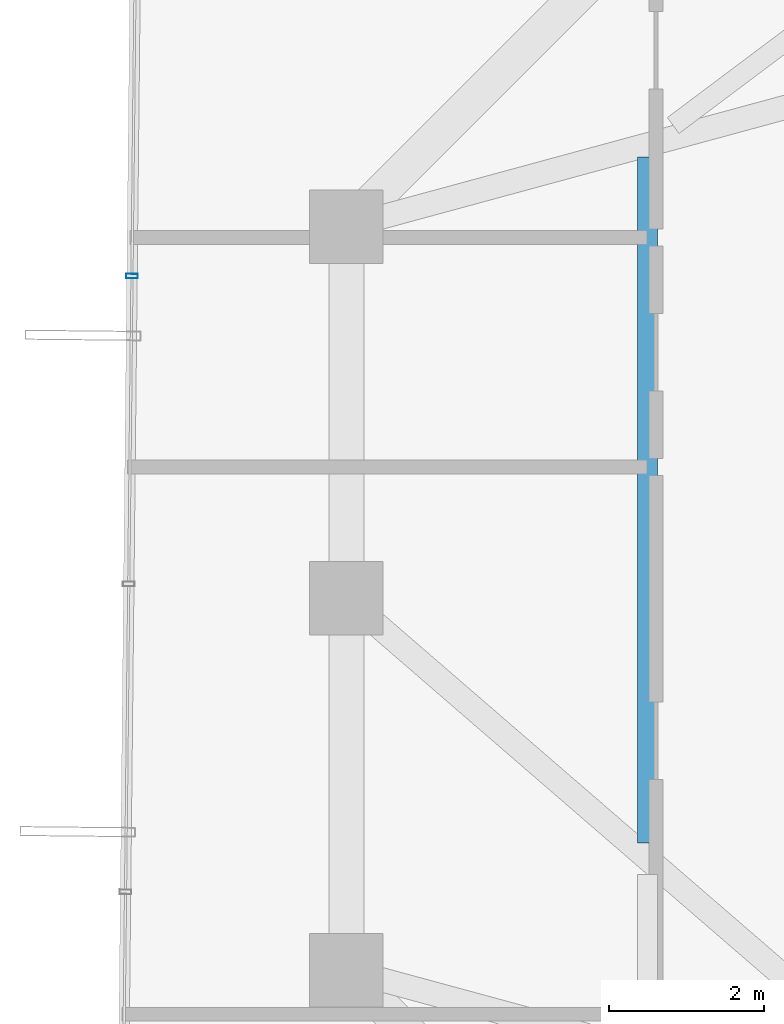
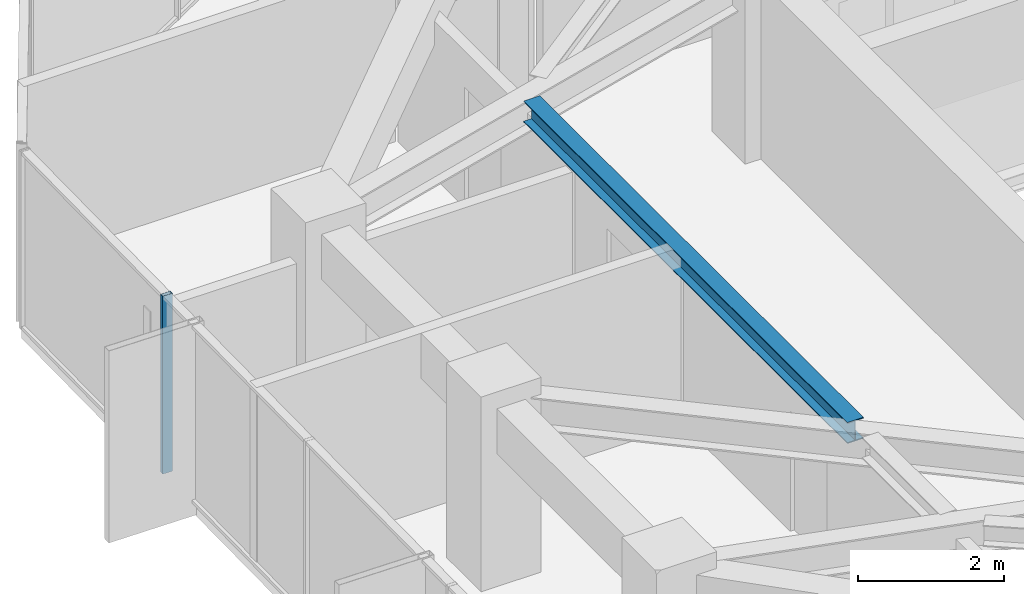
# One storey, part 12 of 30: 1 beam, 1 member, 1 element without a shape of its own.
"""IFC4 building model written with IfcOpenShell, lengths in metres."""

from ifc_helpers import new_model, si_unit, direction, frame, origin, origin_2d, place, context, subcontext, project, spatial, hollow_rectangle, i_section, extrude, source, transform, mapped, material, layer, layer_set, material_profile, profile_set, type_object, element, aggregate, save


model = new_model("IFC4")

# Units and contexts
model_context = context("Model", 3, precision=1e-05, world=origin(), true_north=direction((0.0, 1.0)))
body_context = subcontext(model_context, "Body", "Model", "MODEL_VIEW")
ifc_project = project(units=[si_unit("LENGTHUNIT", "METRE"), si_unit("AREAUNIT", "SQUARE_METRE"), si_unit("VOLUMEUNIT", "CUBIC_METRE"), si_unit("PLANEANGLEUNIT", "RADIAN"), si_unit("MASSUNIT", "GRAM", prefix="KILO")], contexts=[model_context])

# Site, building, storey
site_placement = place(None, origin())
site = spatial("IfcSite", under=ifc_project, at=site_placement, CompositionType="ELEMENT")
building_placement = place(site_placement, origin())
building = spatial("IfcBuilding", under=site, at=building_placement, Name="Veraguas Prism Commons", CompositionType="ELEMENT")
storey_placement = place(building_placement, frame((0.0, 0.0, 208.10009765625)))
storey = spatial("IfcBuildingStorey", under=building, at=storey_placement, Name="L59", CompositionType="ELEMENT", Elevation=208.10009765625)

# Beam
ifc_material_1 = material(Name="Steel ASTM A992 Grade 50", Category="steel")
ifc_material_profile_1 = material_profile(ifc_material_1, i_section(OverallWidth=0.25390625, OverallDepth=0.35302734375, WebThickness=0.009521484375, FlangeThickness=0.016357421875, at=origin_2d()), Name="W360X91")
ifc_profile_set_1 = profile_set([ifc_material_profile_1], Name="Steel ASTM A992 Grade 50")
beam_type = type_object("IfcBeamType", Name="Upper Floor Joist W360x91", PredefinedType="JOIST", material=ifc_profile_set_1)
beam_placement = place(storey_placement, frame((12.988037109375, 29.697021484375, 2.79345703125), z_axis=(0.0, -1.0, 0.0), x_axis=(1.0, 0.0, 0.0)))
element("IfcBeam", 1, at=beam_placement, inside=storey, type_object=beam_type, Name="Composite Floor Joist L59-JS07", PredefinedType="JOIST", context=body_context, shape_type="SweptSolid", body=[
    extrude(i_section(OverallWidth=0.25390625, OverallDepth=0.35302734375, WebThickness=0.009521484375, FlangeThickness=0.016357421875, at=origin_2d()), origin(), (0.0, 0.0, 1.0), 8.85400390625),
])

# Curtain wall, member
ifc_material_2 = material(Name="Anodised aluminium EN AW-6063 T6", Category="aluminium")
ifc_layer = layer(ifc_material_2, 0.14990234375, Name="Unitised Flush Curtain Wall Zone 3", Category="aluminium")
ifc_layer_set = layer_set([ifc_layer], Name="Anodised aluminium EN AW-6063 T6")
curtain_wall_type = type_object("IfcCurtainWallType", Name="Unitised Flush Curtain Wall Zone 3", PredefinedType="NOTDEFINED", material=ifc_layer_set)
curtain_wall_placement = place(storey_placement, origin())
curtain_wall = element("IfcCurtainWall", 2, at=curtain_wall_placement, inside=storey, type_object=curtain_wall_type, Name="Tower Facade Curtain Wall L59-F3", PredefinedType="NOTDEFINED")
ifc_material_profile_2 = material_profile(ifc_material_2, hollow_rectangle(XDim=0.06005859375, YDim=0.14990234375, WallThickness=0.0029296875, at=origin_2d()), Name="AL60X150X3")
ifc_profile_set_2 = profile_set([ifc_material_profile_2], Name="Anodised aluminium EN AW-6063 T6")
member_type = type_object("IfcMemberType", Name="Curtain Wall Mullion Upper AL 60x150x3", PredefinedType="MULLION", material=ifc_profile_set_2)
shared_shape = source(origin(), body_context, "Body", "SweptSolid", [
    extrude(hollow_rectangle(XDim=0.06005859375, YDim=0.14990234375, WallThickness=0.0029296875, at=origin_2d()), origin(), (0.0, 0.0, 1.0), 2.969970703125),
])
member_placement = place(storey_placement, frame((6.332275390625, 28.160888671875, 0.0), z_axis=(0.0, 0.0, 1.0), x_axis=(-0.010470038883, -0.999945187641, 0.0)))
member = element("IfcMember", 3, at=member_placement, type_object=member_type, Name="CW-Z3 Mullion 2", PredefinedType="MULLION", context=body_context, shape_type="MappedRepresentation", body=[
    mapped(shared_shape, transform((0.0, 0.0, 0.0), scale=1.0)),
])
aggregate(curtain_wall, [member])

save(model, "model.ifc")
